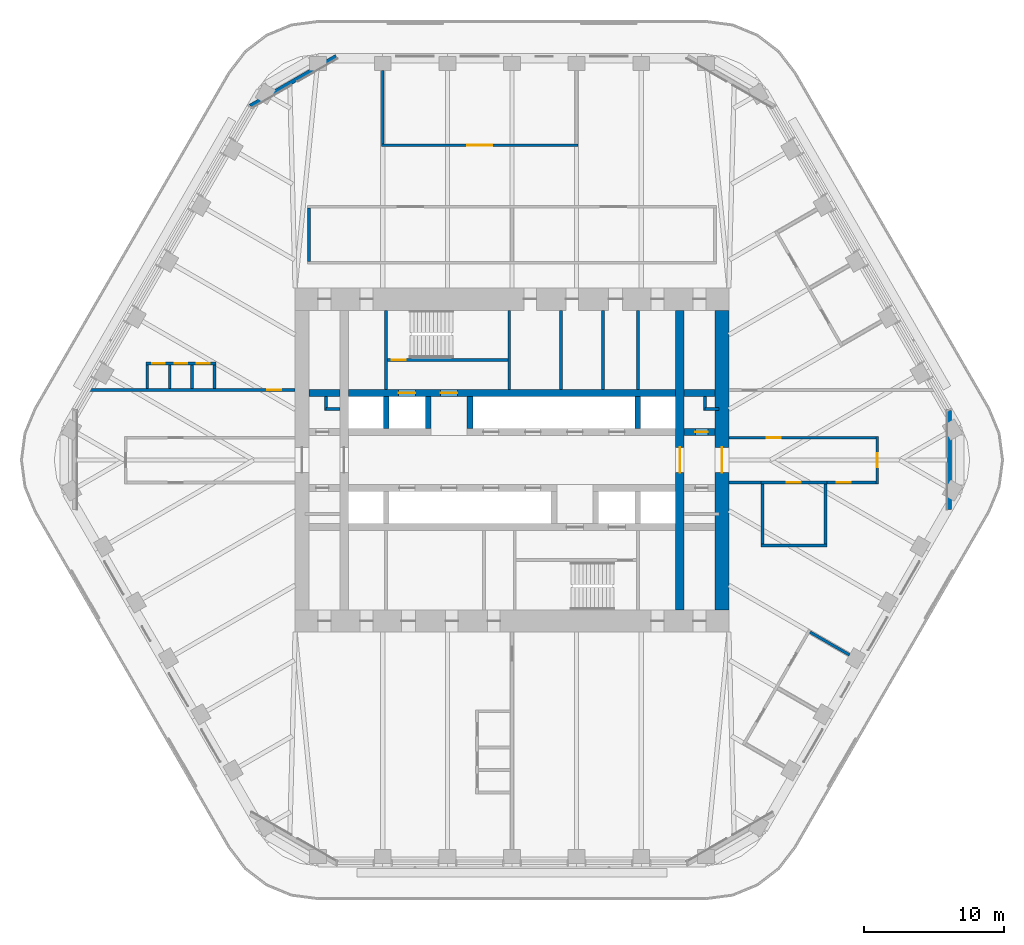
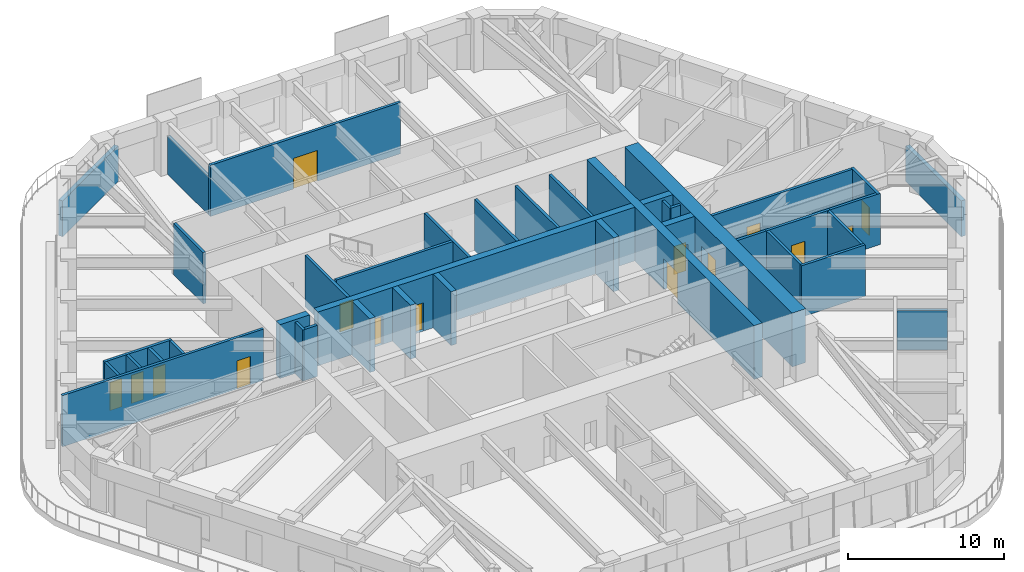
# One storey, part 16 of 20: 40 walls, 15 doors, 15 openings.
"""IFC4 building model written with IfcOpenShell, lengths in metres."""

from ifc_helpers import new_model, si_unit, direction, frame, frame_2d, origin, place, context, subcontext, project, spatial, rectangle, extrude, material, layer, layer_set, type_object, element, fill, save


model = new_model("IFC4")

# Units and contexts
model_context = context("Model", 3, precision=1e-05, world=origin(), true_north=direction((0.0, 1.0)))
body_context = subcontext(model_context, "Body", "Model", "MODEL_VIEW")
ifc_project = project(units=[si_unit("LENGTHUNIT", "METRE"), si_unit("AREAUNIT", "SQUARE_METRE"), si_unit("VOLUMEUNIT", "CUBIC_METRE"), si_unit("PLANEANGLEUNIT", "RADIAN"), si_unit("MASSUNIT", "GRAM", prefix="KILO")], contexts=[model_context])

# Site, building, storey
site_placement = place(None, origin())
site = spatial("IfcSite", under=ifc_project, at=site_placement, CompositionType="ELEMENT")
building_placement = place(site_placement, origin())
building = spatial("IfcBuilding", under=site, at=building_placement, Name="Tarfa Lantern Tower", CompositionType="ELEMENT")
storey_placement = place(building_placement, frame((0.0, 0.0, 274.300048828125)))
storey = spatial("IfcBuildingStorey", under=building, at=storey_placement, Name="L62", CompositionType="ELEMENT", Elevation=274.300048828125)

# Walls
ifc_material_1 = material(Name="Limestone cladding on blockwork", Category="masonry")
ifc_layer_1 = layer(ifc_material_1, 0.300048828125)
ifc_layer_set_1 = layer_set([ifc_layer_1], Name="EW1 STONE-CLAD WALL 300")
wall_type_1 = type_object("IfcWallType", Name="EW1 STONE-CLAD WALL 300", PredefinedType="SOLIDWALL", material=ifc_layer_set_1)
wall_1_placement = place(storey_placement, frame((-12.556396484375, 28.85009765625, 0.0), z_axis=(0.0, 0.0, 1.0), x_axis=(-0.866010973379, -0.500024993363, 0.0)))
element("IfcWall", 1, at=wall_1_placement, inside=storey, type_object=wall_type_1, Name="Garden wall N-NW", PredefinedType="SOLIDWALL", context=body_context, shape_type="SweptSolid", body=[
    extrude(rectangle(XDim=7.101806640625, YDim=0.300048828125, at=frame_2d((3.55078125, 0.0))), origin(), (0.0, 0.0, 1.0), 2.800048828125),
])
wall_2_placement = place(storey_placement, frame((31.262939453125, -3.55078125, 0.0), z_axis=(0.0, 0.0, 1.0), x_axis=(0.0, 1.0, 0.0)))
element("IfcWall", 2, at=wall_2_placement, inside=storey, type_object=wall_type_1, Name="Garden wall SE-NE", PredefinedType="SOLIDWALL", context=body_context, shape_type="SweptSolid", body=[
    extrude(rectangle(XDim=7.1015625, YDim=0.300048828125, at=frame_2d((3.55078125, 0.0))), origin(), (0.0, 0.0, 1.0), 2.800048828125),
])
ifc_material_2 = material(Name="Concrete blockwork", Category="masonry")
ifc_layer_2 = layer(ifc_material_2, 0.199951171875)
ifc_layer_set_2 = layer_set([ifc_layer_2], Name="IW1 BLOCKWORK PARTITION 200 EI 120")
wall_type_2 = type_object("IfcWallType", Name="IW1 BLOCKWORK PARTITION 200 EI 120", PredefinedType="PARTITIONING", material=ifc_layer_set_2)
for number, where, z_axis, x_axis, name in (
    (3, (-9.0, 5.050048828125, 0.0), (0.0, 0.0, 1.0), (0.0, 1.0, 0.0), "Core partition"),
    (4, (9.0, 5.050048828125, 0.0), (0.0, 0.0, 1.0), (0.0, 1.0, 0.0), "Core partition"),
    (5, (3.5, 5.050048828125, 0.0), (0.0, 0.0, 1.0), (0.0, 1.0, 0.0), "Core partition"),
    (6, (6.5, 5.050048828125, 0.0), (0.0, 0.0, 1.0), (0.0, 1.0, 0.0), "Core partition"),
):
    element("IfcWall", number, at=place(storey_placement, frame(where, z_axis=z_axis, x_axis=x_axis)), inside=storey, type_object=wall_type_2, Name=name, PredefinedType="PARTITIONING", context=body_context, shape_type="SweptSolid", body=[
        extrude(rectangle(XDim=5.64990234375, YDim=0.199951171875, at=frame_2d((2.824951171875, 0.0))), origin(), (0.0, 0.0, 1.0), 4.0),
    ])
for number, where, z_axis, x_axis, name in (
    (7, (-13.300048828125, 3.64990234375, 0.0), (0.0, 0.0, 1.0), (1.0, 0.0, 0.0), "Core partition"),
    (8, (-13.300048828125, 3.550048828125, 0.0), (0.0, 0.0, 1.0), (0.0, 1.0, 0.0), "Core partition"),
    (9, (13.800048828125, 3.64990234375, 0.0), (0.0, 0.0, 1.0), (1.0, 0.0, 0.0), "Core partition"),
    (10, (13.800048828125, 3.550048828125, 0.0), (0.0, 0.0, 1.0), (0.0, 1.0, 0.0), "Core partition"),
):
    element("IfcWall", number, at=place(storey_placement, frame(where, z_axis=z_axis, x_axis=x_axis)), inside=storey, type_object=wall_type_2, Name=name, PredefinedType="PARTITIONING", context=body_context, shape_type="SweptSolid", body=[
        extrude(rectangle(XDim=1.0, YDim=0.199951171875, at=frame_2d((0.5, 0.0))), origin(), (0.0, 0.0, 1.0), 4.0),
    ])
ifc_material_3 = material(Name="Gypsum board on steel studs", Category="steel")
ifc_layer_3 = layer(ifc_material_3, 0.2099609375)
ifc_layer_set_3 = layer_set([ifc_layer_3], Name="IW2 ACOUSTIC PARTITION 200")
wall_type_3 = type_object("IfcWallType", Name="IW2 ACOUSTIC PARTITION 200", PredefinedType="PARTITIONING", material=ifc_layer_set_3)
wall_3_placement = place(storey_placement, frame((-14.5, 14.199951171875, 0.0), z_axis=(0.0, 0.0, 1.0), x_axis=(0.0, 1.0, 0.0)))
element("IfcWall", 11, at=wall_3_placement, inside=storey, type_object=wall_type_3, Name="Partition", PredefinedType="PARTITIONING", context=body_context, shape_type="SweptSolid", body=[
    extrude(rectangle(XDim=3.800048828125, YDim=0.199951171875, at=frame_2d((1.89990234375, 0.0))), origin(), (0.0, 0.0, 1.0), 4.0),
])

# Wall, opening, door
wall_4_placement = place(storey_placement, frame((4.71875, 22.5, 0.0), z_axis=(0.0, 0.0, 1.0), x_axis=(-1.0, 0.0, 0.0)))
wall_4 = element("IfcWall", 12, at=wall_4_placement, inside=storey, type_object=wall_type_3, Name="Partition", PredefinedType="PARTITIONING", context=body_context, shape_type="SweptSolid", body=[
    extrude(rectangle(XDim=14.056396484375, YDim=0.199951171875, at=frame_2d((7.0283203125, 0.0))), origin(), (0.0, 0.0, 1.0), 4.0),
])
opening_1_placement = place(wall_4_placement, frame((6.128173828125, 0.0, 0.0)))
opening_1 = element("IfcOpeningElement", 13, at=opening_1_placement, cuts=wall_4, Name="Opening D28", PredefinedType="OPENING", context=body_context, shape_type="SweptSolid", body=[
    extrude(rectangle(XDim=1.800048828125, YDim=2.39990234375, at=frame_2d((0.89990234375, 1.199951171875))), frame((0.0, 0.10986328125, 0.0), z_axis=(0.0, -1.0, 0.0), x_axis=(1.0, 0.0, 0.0)), (0.0, 0.0, 1.0), 0.219970703125),
])
ifc_material_4 = material(Name="Timber door", Category="wood")
door_type_1 = type_object("IfcDoorType", Name="DR2 ROOM DOOR 1800x2400", OperationType="DOUBLE_DOOR_SINGLE_SWING", PredefinedType="DOOR", material=ifc_material_4)
door_1_placement = place(opening_1_placement, frame((1.800048828125, 0.0, 0.0), z_axis=(0.0, 0.0, 1.0), x_axis=(-1.0, 0.0, 0.0)))
door_1 = element("IfcDoor", 14, at=door_1_placement, inside=storey, type_object=door_type_1, Name="Presentation room door", OperationType="DOUBLE_DOOR_SINGLE_SWING", OverallHeight=2.39990234375, OverallWidth=1.800048828125, PredefinedType="DOOR", context=body_context, shape_type="SweptSolid", body=[
    extrude(rectangle(XDim=1.800048828125, YDim=2.39990234375, at=frame_2d((0.89990234375, 1.199951171875))), frame((0.0, 0.02490234375, 0.0), z_axis=(0.0, -1.0, 0.0), x_axis=(1.0, 0.0, 0.0)), (0.0, 0.0, 1.0), 0.050048828125),
])
fill(opening_1, door_1)

# Walls
wall_5_placement = place(storey_placement, frame((-9.237548828125, 22.60009765625, 0.0), z_axis=(0.0, 0.0, 1.0), x_axis=(0.0, 1.0, 0.0)))
element("IfcWall", 15, at=wall_5_placement, inside=storey, type_object=wall_type_3, Name="Partition", PredefinedType="PARTITIONING", context=body_context, shape_type="SweptSolid", body=[
    extrude(rectangle(XDim=5.25, YDim=0.199951171875, at=frame_2d((2.625, 0.0))), origin(), (0.0, 0.0, 1.0), 2.991943359375),
])
wall_6_placement = place(storey_placement, frame((21.30419921875, -12.300048828125, 0.0), z_axis=(0.0, 0.0, 1.0), x_axis=(0.866034226713, -0.499984717929, 0.0)))
element("IfcWall", 16, at=wall_6_placement, inside=storey, type_object=wall_type_3, Name="Partition", PredefinedType="PARTITIONING", context=body_context, shape_type="SweptSolid", body=[
    extrude(rectangle(XDim=3.25, YDim=0.199951171875, at=frame_2d((1.625, 0.0))), origin(), (0.0, 0.0, 1.0), 3.08154296875),
])

# Wall, opening, door
wall_7_placement = place(storey_placement, frame((17.800048828125, -1.60009765625, 0.0), z_axis=(0.0, 0.0, 1.0), x_axis=(1.0, 0.0, 0.0)))
wall_7 = element("IfcWall", 17, at=wall_7_placement, inside=storey, type_object=wall_type_3, Name="Partition", PredefinedType="PARTITIONING", context=body_context, shape_type="SweptSolid", body=[
    extrude(rectangle(XDim=4.699951171875, YDim=0.199951171875, at=frame_2d((2.35009765625, 0.0))), origin(), (0.0, 0.0, 1.0), 4.0),
])
opening_2_placement = place(wall_7_placement, frame((1.85009765625, 0.0, 0.0)))
opening_2 = element("IfcOpeningElement", 18, at=opening_2_placement, cuts=wall_7, Name="Opening D27", PredefinedType="OPENING", context=body_context, shape_type="SweptSolid", body=[
    extrude(rectangle(XDim=1.0, YDim=2.199951171875, at=frame_2d((0.5, 1.10009765625))), frame((0.0, 0.10986328125, 0.0), z_axis=(0.0, -1.0, 0.0), x_axis=(1.0, 0.0, 0.0)), (0.0, 0.0, 1.0), 0.219970703125),
])
door_type_2 = type_object("IfcDoorType", Name="DR1 ROOM DOOR 1000x2200", OperationType="SINGLE_SWING_LEFT", PredefinedType="DOOR", material=ifc_material_4)
door_2_placement = place(opening_2_placement, frame((1.0, 0.0, 0.0), z_axis=(0.0, 0.0, 1.0), x_axis=(-1.0, 0.0, 0.0)))
door_2 = element("IfcDoor", 19, at=door_2_placement, inside=storey, type_object=door_type_2, Name="Pantry door", OperationType="SINGLE_SWING_RIGHT", OverallHeight=2.199951171875, OverallWidth=1.0, PredefinedType="DOOR", context=body_context, shape_type="SweptSolid", body=[
    extrude(rectangle(XDim=1.0, YDim=2.199951171875, at=frame_2d((0.5, 1.10009765625))), frame((0.0, 0.02490234375, 0.0), z_axis=(0.0, -1.0, 0.0), x_axis=(1.0, 0.0, 0.0)), (0.0, 0.0, 1.0), 0.050048828125),
])
fill(opening_2, door_2)

# Walls
wall_8_placement = place(storey_placement, frame((17.800048828125, -6.10009765625, 0.0), z_axis=(0.0, 0.0, 1.0), x_axis=(1.0, 0.0, 0.0)))
element("IfcWall", 20, at=wall_8_placement, inside=storey, type_object=wall_type_3, Name="Partition", PredefinedType="PARTITIONING", context=body_context, shape_type="SweptSolid", body=[
    extrude(rectangle(XDim=4.699951171875, YDim=0.199951171875, at=frame_2d((2.35009765625, 0.0))), origin(), (0.0, 0.0, 1.0), 4.0),
])
for number, where, z_axis, x_axis, name in (
    (21, (17.89990234375, -1.699951171875, 0.0), (0.0, 0.0, 1.0), (0.0, -1.0, 0.0), "Partition"),
    (22, (22.39990234375, -1.699951171875, 0.0), (0.0, 0.0, 1.0), (0.0, -1.0, 0.0), "Partition"),
):
    element("IfcWall", number, at=place(storey_placement, frame(where, z_axis=z_axis, x_axis=x_axis)), inside=storey, type_object=wall_type_3, Name=name, PredefinedType="PARTITIONING", context=body_context, shape_type="SweptSolid", body=[
        extrude(rectangle(XDim=4.300048828125, YDim=0.199951171875, at=frame_2d((2.14990234375, 0.0))), origin(), (0.0, 0.0, 1.0), 4.0),
    ])

# Wall, opening, door
wall_9_placement = place(storey_placement, frame((15.5, 1.60009765625, 0.0), z_axis=(0.0, 0.0, 1.0), x_axis=(1.0, 0.0, 0.0)))
wall_9 = element("IfcWall", 23, at=wall_9_placement, inside=storey, type_object=wall_type_3, Name="Partition", PredefinedType="PARTITIONING", context=body_context, shape_type="SweptSolid", body=[
    extrude(rectangle(XDim=10.699951171875, YDim=0.199951171875, at=frame_2d((5.35009765625, 0.0))), origin(), (0.0, 0.0, 1.0), 4.0),
])
opening_3_placement = place(wall_9_placement, frame((2.7099609375, 0.0, 0.0)))
opening_3 = element("IfcOpeningElement", 24, at=opening_3_placement, cuts=wall_9, Name="Opening D42", PredefinedType="OPENING", context=body_context, shape_type="SweptSolid", body=[
    extrude(rectangle(XDim=1.0, YDim=2.199951171875, at=frame_2d((0.5, 1.10009765625))), frame((0.0, 0.10986328125, 0.0), z_axis=(0.0, -1.0, 0.0), x_axis=(1.0, 0.0, 0.0)), (0.0, 0.0, 1.0), 0.219970703125),
])
door_3_placement = place(opening_3_placement, origin())
door_3 = element("IfcDoor", 25, at=door_3_placement, inside=storey, type_object=door_type_2, Name="Corridor door", OperationType="SINGLE_SWING_RIGHT", OverallHeight=2.199951171875, OverallWidth=1.0, PredefinedType="DOOR", context=body_context, shape_type="SweptSolid", body=[
    extrude(rectangle(XDim=1.0, YDim=2.199951171875, at=frame_2d((0.5, 1.10009765625))), frame((0.0, 0.02490234375, 0.0), z_axis=(0.0, -1.0, 0.0), x_axis=(1.0, 0.0, 0.0)), (0.0, 0.0, 1.0), 0.050048828125),
])
fill(opening_3, door_3)

# Wall
wall_10_placement = place(storey_placement, frame((15.5, -1.60009765625, 0.0), z_axis=(0.0, 0.0, 1.0), x_axis=(1.0, 0.0, 0.0)))
element("IfcWall", 26, at=wall_10_placement, inside=storey, type_object=wall_type_3, Name="Partition", PredefinedType="PARTITIONING", context=body_context, shape_type="SweptSolid", body=[
    extrude(rectangle(XDim=2.300048828125, YDim=0.199951171875, at=frame_2d((1.14990234375, 0.0))), origin(), (0.0, 0.0, 1.0), 4.0),
])

# Wall, opening, door
wall_11_placement = place(storey_placement, frame((22.5, -1.60009765625, 0.0), z_axis=(0.0, 0.0, 1.0), x_axis=(1.0, 0.0, 0.0)))
wall_11 = element("IfcWall", 27, at=wall_11_placement, inside=storey, type_object=wall_type_3, Name="Partition", PredefinedType="PARTITIONING", context=body_context, shape_type="SweptSolid", body=[
    extrude(rectangle(XDim=3.699951171875, YDim=0.199951171875, at=frame_2d((1.85009765625, 0.0))), origin(), (0.0, 0.0, 1.0), 4.0),
])
opening_4_placement = place(wall_11_placement, frame((0.699951171875, 0.0, 0.0)))
opening_4 = element("IfcOpeningElement", 28, at=opening_4_placement, cuts=wall_11, Name="Opening D43", PredefinedType="OPENING", context=body_context, shape_type="SweptSolid", body=[
    extrude(rectangle(XDim=1.0, YDim=2.199951171875, at=frame_2d((0.5, 1.10009765625))), frame((0.0, 0.10986328125, 0.0), z_axis=(0.0, -1.0, 0.0), x_axis=(1.0, 0.0, 0.0)), (0.0, 0.0, 1.0), 0.219970703125),
])
door_4_placement = place(opening_4_placement, frame((1.0, 0.0, 0.0), z_axis=(0.0, 0.0, 1.0), x_axis=(-1.0, 0.0, 0.0)))
door_4 = element("IfcDoor", 29, at=door_4_placement, inside=storey, type_object=door_type_2, Name="Corridor door", OperationType="SINGLE_SWING_LEFT", OverallHeight=2.199951171875, OverallWidth=1.0, PredefinedType="DOOR", context=body_context, shape_type="SweptSolid", body=[
    extrude(rectangle(XDim=1.0, YDim=2.199951171875, at=frame_2d((0.5, 1.10009765625))), frame((0.0, 0.02490234375, 0.0), z_axis=(0.0, -1.0, 0.0), x_axis=(1.0, 0.0, 0.0)), (0.0, 0.0, 1.0), 0.050048828125),
])
fill(opening_4, door_4)

wall_12_placement = place(storey_placement, frame((26.10009765625, -1.699951171875, 0.0), z_axis=(0.0, 0.0, 1.0), x_axis=(0.0, 1.0, 0.0)))
wall_12 = element("IfcWall", 30, at=wall_12_placement, inside=storey, type_object=wall_type_3, Name="Partition", PredefinedType="PARTITIONING", context=body_context, shape_type="SweptSolid", body=[
    extrude(rectangle(XDim=3.39990234375, YDim=0.199951171875, at=frame_2d((1.699951171875, 0.0))), origin(), (0.0, 0.0, 1.0), 4.0),
])
opening_5_placement = place(wall_12_placement, frame((1.199951171875, 0.0, 0.0)))
opening_5 = element("IfcOpeningElement", 31, at=opening_5_placement, cuts=wall_12, Name="Opening D41", PredefinedType="OPENING", context=body_context, shape_type="SweptSolid", body=[
    extrude(rectangle(XDim=1.0, YDim=2.199951171875, at=frame_2d((0.5, 1.10009765625))), frame((0.0, 0.10986328125, 0.0), z_axis=(0.0, -1.0, 0.0), x_axis=(1.0, 0.0, 0.0)), (0.0, 0.0, 1.0), 0.219970703125),
])
door_5_placement = place(opening_5_placement, frame((1.0, 0.0, 0.0), z_axis=(0.0, 0.0, 1.0), x_axis=(-1.0, 0.0, 0.0)))
door_5 = element("IfcDoor", 32, at=door_5_placement, inside=storey, type_object=door_type_2, Name="Corridor door", OperationType="SINGLE_SWING_LEFT", OverallHeight=2.199951171875, OverallWidth=1.0, PredefinedType="DOOR", context=body_context, shape_type="SweptSolid", body=[
    extrude(rectangle(XDim=1.0, YDim=2.199951171875, at=frame_2d((0.5, 1.10009765625))), frame((0.0, 0.02490234375, 0.0), z_axis=(0.0, -1.0, 0.0), x_axis=(1.0, 0.0, 0.0)), (0.0, 0.0, 1.0), 0.050048828125),
])
fill(opening_5, door_5)

wall_13_placement = place(storey_placement, frame((-15.5, 5.0, 0.0), z_axis=(0.0, 0.0, 1.0), x_axis=(-1.0, 0.0, 0.0)))
wall_13 = element("IfcWall", 33, at=wall_13_placement, inside=storey, type_object=wall_type_3, Name="Partition", PredefinedType="PARTITIONING", context=body_context, shape_type="SweptSolid", body=[
    extrude(rectangle(XDim=14.845458984375, YDim=0.199951171875, at=frame_2d((7.4228515625, 0.0))), origin(), (0.0, 0.0, 1.0), 4.0),
])
opening_6_placement = place(wall_13_placement, frame((0.984619140625, 0.0, 0.0)))
opening_6 = element("IfcOpeningElement", 34, at=opening_6_placement, cuts=wall_13, Name="Opening D49", PredefinedType="OPENING", context=body_context, shape_type="SweptSolid", body=[
    extrude(rectangle(XDim=1.0, YDim=2.199951171875, at=frame_2d((0.5, 1.10009765625))), frame((0.0, 0.10986328125, 0.0), z_axis=(0.0, -1.0, 0.0), x_axis=(1.0, 0.0, 0.0)), (0.0, 0.0, 1.0), 0.219970703125),
])
door_6_placement = place(opening_6_placement, origin())
door_6 = element("IfcDoor", 35, at=door_6_placement, inside=storey, type_object=door_type_2, Name="Zone door", OperationType="SINGLE_SWING_RIGHT", OverallHeight=2.199951171875, OverallWidth=1.0, PredefinedType="DOOR", context=body_context, shape_type="SweptSolid", body=[
    extrude(rectangle(XDim=1.0, YDim=2.199951171875, at=frame_2d((0.5, 1.10009765625))), frame((0.0, 0.02490234375, 0.0), z_axis=(0.0, -1.0, 0.0), x_axis=(1.0, 0.0, 0.0)), (0.0, 0.0, 1.0), 0.050048828125),
])
fill(opening_6, door_6)

# Wall, openings, doors
wall_14_placement = place(storey_placement, frame((-21.1650390625, 6.89990234375, 0.0), z_axis=(0.0, 0.0, 1.0), x_axis=(-1.0, 0.0, 0.0)))
wall_14 = element("IfcWall", 36, at=wall_14_placement, inside=storey, type_object=wall_type_3, Name="Partition", PredefinedType="PARTITIONING", context=body_context, shape_type="SweptSolid", body=[
    extrude(rectangle(XDim=5.0, YDim=0.199951171875, at=frame_2d((2.5, 0.0))), origin(), (0.0, 0.0, 1.0), 4.0),
])
opening_7_placement = place(wall_14_placement, frame((0.449951171875, 0.0, 0.0)))
opening_7 = element("IfcOpeningElement", 37, at=opening_7_placement, cuts=wall_14, Name="Opening D38", PredefinedType="OPENING", context=body_context, shape_type="SweptSolid", body=[
    extrude(rectangle(XDim=0.89990234375, YDim=2.199951171875, at=frame_2d((0.449951171875, 1.10009765625))), frame((0.0, 0.10986328125, 0.0), z_axis=(0.0, -1.0, 0.0), x_axis=(1.0, 0.0, 0.0)), (0.0, 0.0, 1.0), 0.219970703125),
])
opening_8_placement = place(wall_14_placement, frame((2.050048828125, 0.0, 0.0)))
opening_8 = element("IfcOpeningElement", 38, at=opening_8_placement, cuts=wall_14, Name="Opening D39", PredefinedType="OPENING", context=body_context, shape_type="SweptSolid", body=[
    extrude(rectangle(XDim=0.89990234375, YDim=2.199951171875, at=frame_2d((0.449951171875, 1.10009765625))), frame((0.0, 0.10986328125, 0.0), z_axis=(0.0, -1.0, 0.0), x_axis=(1.0, 0.0, 0.0)), (0.0, 0.0, 1.0), 0.219970703125),
])
opening_9_placement = place(wall_14_placement, frame((3.64990234375, 0.0, 0.0)))
opening_9 = element("IfcOpeningElement", 39, at=opening_9_placement, cuts=wall_14, Name="Opening D40", PredefinedType="OPENING", context=body_context, shape_type="SweptSolid", body=[
    extrude(rectangle(XDim=0.89990234375, YDim=2.199951171875, at=frame_2d((0.449951171875, 1.10009765625))), frame((0.0, 0.10986328125, 0.0), z_axis=(0.0, -1.0, 0.0), x_axis=(1.0, 0.0, 0.0)), (0.0, 0.0, 1.0), 0.219970703125),
])
door_type_3 = type_object("IfcDoorType", Name="DR3 ROOM DOOR 900x2200", OperationType="SINGLE_SWING_LEFT", PredefinedType="DOOR", material=ifc_material_4)
door_7_placement = place(opening_7_placement, origin())
door_7 = element("IfcDoor", 40, at=door_7_placement, inside=storey, type_object=door_type_3, Name="Phone booth door", OperationType="SINGLE_SWING_RIGHT", OverallHeight=2.199951171875, OverallWidth=0.89990234375, PredefinedType="DOOR", context=body_context, shape_type="SweptSolid", body=[
    extrude(rectangle(XDim=0.89990234375, YDim=2.199951171875, at=frame_2d((0.449951171875, 1.10009765625))), frame((0.0, 0.02490234375, 0.0), z_axis=(0.0, -1.0, 0.0), x_axis=(1.0, 0.0, 0.0)), (0.0, 0.0, 1.0), 0.050048828125),
])
fill(opening_7, door_7)
door_8_placement = place(opening_8_placement, origin())
door_8 = element("IfcDoor", 41, at=door_8_placement, inside=storey, type_object=door_type_3, Name="Phone booth door", OperationType="SINGLE_SWING_RIGHT", OverallHeight=2.199951171875, OverallWidth=0.89990234375, PredefinedType="DOOR", context=body_context, shape_type="SweptSolid", body=[
    extrude(rectangle(XDim=0.89990234375, YDim=2.199951171875, at=frame_2d((0.449951171875, 1.10009765625))), frame((0.0, 0.02490234375, 0.0), z_axis=(0.0, -1.0, 0.0), x_axis=(1.0, 0.0, 0.0)), (0.0, 0.0, 1.0), 0.050048828125),
])
fill(opening_8, door_8)
door_9_placement = place(opening_9_placement, origin())
door_9 = element("IfcDoor", 42, at=door_9_placement, inside=storey, type_object=door_type_3, Name="Phone booth door", OperationType="SINGLE_SWING_LEFT", OverallHeight=2.199951171875, OverallWidth=0.89990234375, PredefinedType="DOOR", context=body_context, shape_type="SweptSolid", body=[
    extrude(rectangle(XDim=0.89990234375, YDim=2.199951171875, at=frame_2d((0.449951171875, 1.10009765625))), frame((0.0, 0.02490234375, 0.0), z_axis=(0.0, -1.0, 0.0), x_axis=(1.0, 0.0, 0.0)), (0.0, 0.0, 1.0), 0.050048828125),
])
fill(opening_9, door_9)

# Walls
for number, where, z_axis, x_axis, name in (
    (43, (-21.264892578125, 5.10009765625, 0.0), (0.0, 0.0, 1.0), (0.0, 1.0, 0.0), "Partition"),
    (44, (-22.864990234375, 5.10009765625, 0.0), (0.0, 0.0, 1.0), (0.0, 1.0, 0.0), "Partition"),
    (45, (-24.465087890625, 5.10009765625, 0.0), (0.0, 0.0, 1.0), (0.0, 1.0, 0.0), "Partition"),
    (46, (-26.06494140625, 5.10009765625, 0.0), (0.0, 0.0, 1.0), (0.0, 1.0, 0.0), "Partition"),
):
    element("IfcWall", number, at=place(storey_placement, frame(where, z_axis=z_axis, x_axis=x_axis)), inside=storey, type_object=wall_type_3, Name=name, PredefinedType="PARTITIONING", context=body_context, shape_type="SweptSolid", body=[
        extrude(rectangle(XDim=1.699951171875, YDim=0.199951171875, at=frame_2d((0.85009765625, 0.0))), origin(), (0.0, 0.0, 1.0), 4.0),
    ])
ifc_material_5 = material(Name="Concrete C80/95", Category="concrete")
ifc_layer_4 = layer(ifc_material_5, 0.199951171875)
ifc_layer_set_4 = layer_set([ifc_layer_4], Name="SW12 CORE WALL 200")
wall_type_4 = type_object("IfcWallType", Name="SW12 CORE WALL 200", PredefinedType="SHEAR", material=ifc_layer_set_4)
wall_15_placement = place(storey_placement, frame((-0.199951171875, 5.050048828125, 0.0), z_axis=(0.0, 0.0, 1.0), x_axis=(0.0, 1.0, 0.0)))
element("IfcWall", 47, at=wall_15_placement, inside=storey, type_object=wall_type_4, Name="Core wall stair shaft N", PredefinedType="SHEAR", context=body_context, shape_type="SweptSolid", body=[
    extrude(rectangle(XDim=5.64990234375, YDim=0.199951171875, at=frame_2d((2.824951171875, 0.0))), origin(), (0.0, 0.0, 1.0), 4.199951171875),
])

# Wall, opening, door
wall_16_placement = place(storey_placement, frame((-8.89990234375, 7.14990234375, 0.0), z_axis=(0.0, 0.0, 1.0), x_axis=(1.0, 0.0, 0.0)))
wall_16 = element("IfcWall", 48, at=wall_16_placement, inside=storey, type_object=wall_type_4, Name="Core wall stair partition N", PredefinedType="SHEAR", context=body_context, shape_type="SweptSolid", body=[
    extrude(rectangle(XDim=8.599853515625, YDim=0.199951171875, at=frame_2d((4.2998046875, 0.0))), origin(), (0.0, 0.0, 1.0), 4.199951171875),
])
opening_10_placement = place(wall_16_placement, frame((0.300048828125, 0.0, 0.0)))
opening_10 = element("IfcOpeningElement", 49, at=opening_10_placement, cuts=wall_16, Name="Opening D23", PredefinedType="OPENING", context=body_context, shape_type="SweptSolid", body=[
    extrude(rectangle(XDim=1.0, YDim=2.199951171875, at=frame_2d((0.5, 1.10009765625))), frame((0.0, 0.10986328125, 0.0), z_axis=(0.0, -1.0, 0.0), x_axis=(1.0, 0.0, 0.0)), (0.0, 0.0, 1.0), 0.219970703125),
])
ifc_material_6 = material(Name="Steel fire door", Category="steel")
door_type_4 = type_object("IfcDoorType", Name="DF2 STAIR DOOR 1000x2200", OperationType="SINGLE_SWING_LEFT", PredefinedType="DOOR", material=ifc_material_6)
door_10_placement = place(opening_10_placement, origin())
door_10 = element("IfcDoor", 50, at=door_10_placement, inside=storey, type_object=door_type_4, Name="Stair door", OperationType="SINGLE_SWING_RIGHT", OverallHeight=2.199951171875, OverallWidth=1.0, PredefinedType="DOOR", context=body_context, shape_type="SweptSolid", body=[
    extrude(rectangle(XDim=1.0, YDim=2.199951171875, at=frame_2d((0.5, 1.10009765625))), frame((0.0, 0.02490234375, 0.0), z_axis=(0.0, -1.0, 0.0), x_axis=(1.0, 0.0, 0.0)), (0.0, 0.0, 1.0), 0.050048828125),
])
fill(opening_10, door_10)

ifc_layer_5 = layer(ifc_material_5, 1.0)
ifc_layer_set_5 = layer_set([ifc_layer_5], Name="SW2 CORE WALL 1000")
wall_type_5 = type_object("IfcWallType", Name="SW2 CORE WALL 1000", PredefinedType="SHEAR", material=ifc_layer_set_5)
wall_17_placement = place(storey_placement, frame((15.0, -10.699951171875, 0.0), z_axis=(0.0, 0.0, 1.0), x_axis=(0.0, 1.0, 0.0)))
wall_17 = element("IfcWall", 51, at=wall_17_placement, inside=storey, type_object=wall_type_5, Name="Core wall E", PredefinedType="SHEAR", context=body_context, shape_type="SweptSolid", body=[
    extrude(rectangle(XDim=21.39990234375, YDim=1.0, at=frame_2d((10.699951171875, 0.0))), origin(), (0.0, 0.0, 1.0), 4.199951171875),
])
opening_11_placement = place(wall_17_placement, frame((9.800048828125, 0.0, 0.0)))
opening_11 = element("IfcOpeningElement", 52, at=opening_11_placement, cuts=wall_17, Name="Opening D11", PredefinedType="OPENING", context=body_context, shape_type="SweptSolid", body=[
    extrude(rectangle(XDim=1.800048828125, YDim=2.39990234375, at=frame_2d((0.89990234375, 1.199951171875))), frame((0.0, 0.510009765625, 0.0), z_axis=(0.0, -1.0, 0.0), x_axis=(1.0, 0.0, 0.0)), (0.0, 0.0, 1.0), 1.02001953125),
])
door_type_5 = type_object("IfcDoorType", Name="DL1 LOBBY DOOR 1800x2400", OperationType="DOUBLE_DOOR_SINGLE_SWING", PredefinedType="DOOR", material=ifc_material_6)
door_11_placement = place(opening_11_placement, frame((1.800048828125, 0.0, 0.0), z_axis=(0.0, 0.0, 1.0), x_axis=(-1.0, 0.0, 0.0)))
door_11 = element("IfcDoor", 53, at=door_11_placement, inside=storey, type_object=door_type_5, Name="Lift lobby door", OperationType="DOUBLE_DOOR_SINGLE_SWING", OverallHeight=2.39990234375, OverallWidth=1.800048828125, PredefinedType="DOOR", context=body_context, shape_type="SweptSolid", body=[
    extrude(rectangle(XDim=1.800048828125, YDim=2.39990234375, at=frame_2d((0.89990234375, 1.199951171875))), frame((0.0, 0.02490234375, 0.0), z_axis=(0.0, -1.0, 0.0), x_axis=(1.0, 0.0, 0.0)), (0.0, 0.0, 1.0), 0.050048828125),
])
fill(opening_11, door_11)

ifc_layer_6 = layer(ifc_material_5, 0.5)
ifc_layer_set_6 = layer_set([ifc_layer_6], Name="SW5 CORE WALL 500")
wall_type_6 = type_object("IfcWallType", Name="SW5 CORE WALL 500", PredefinedType="SHEAR", material=ifc_layer_set_6)
wall_18_placement = place(storey_placement, frame((12.300048828125, 2.0, 0.0), z_axis=(0.0, 0.0, 1.0), x_axis=(1.0, 0.0, 0.0)))
wall_18 = element("IfcWall", 54, at=wall_18_placement, inside=storey, type_object=wall_type_6, Name="Core wall lobby east N", PredefinedType="SHEAR", context=body_context, shape_type="SweptSolid", body=[
    extrude(rectangle(XDim=2.199951171875, YDim=0.5, at=frame_2d((1.10009765625, 0.0))), origin(), (0.0, 0.0, 1.0), 4.199951171875),
])
opening_12_placement = place(wall_18_placement, frame((0.800048828125, 0.0, 0.0)))
opening_12 = element("IfcOpeningElement", 55, at=opening_12_placement, cuts=wall_18, Name="Opening D13", PredefinedType="OPENING", context=body_context, shape_type="SweptSolid", body=[
    extrude(rectangle(XDim=0.89990234375, YDim=2.199951171875, at=frame_2d((0.449951171875, 1.10009765625))), frame((0.0, 0.260009765625, 0.0), z_axis=(0.0, -1.0, 0.0), x_axis=(1.0, 0.0, 0.0)), (0.0, 0.0, 1.0), 0.52001953125),
])
door_type_6 = type_object("IfcDoorType", Name="DF6 SERVICE ROOM DOOR 900x2200", OperationType="SINGLE_SWING_LEFT", PredefinedType="DOOR", material=ifc_material_6)
door_12_placement = place(opening_12_placement, origin())
door_12 = element("IfcDoor", 56, at=door_12_placement, inside=storey, type_object=door_type_6, Name="Service room door", OperationType="SINGLE_SWING_LEFT", OverallHeight=2.199951171875, OverallWidth=0.89990234375, PredefinedType="DOOR", context=body_context, shape_type="SweptSolid", body=[
    extrude(rectangle(XDim=0.89990234375, YDim=2.199951171875, at=frame_2d((0.449951171875, 1.10009765625))), frame((0.0, 0.02490234375, 0.0), z_axis=(0.0, -1.0, 0.0), x_axis=(1.0, 0.0, 0.0)), (0.0, 0.0, 1.0), 0.050048828125),
])
fill(opening_12, door_12)

# Wall
wall_19_placement = place(storey_placement, frame((-14.5, 4.800048828125, 0.0), z_axis=(0.0, 0.0, 1.0), x_axis=(1.0, 0.0, 0.0)))
element("IfcWall", 57, at=wall_19_placement, inside=storey, type_object=wall_type_6, Name="Core wall rear N", PredefinedType="SHEAR", context=body_context, shape_type="SweptSolid", body=[
    extrude(rectangle(XDim=2.199951171875, YDim=0.5, at=frame_2d((1.10009765625, 0.0))), origin(), (0.0, 0.0, 1.0), 4.199951171875),
])

# Wall, openings, doors
wall_20_placement = place(storey_placement, frame((-11.699951171875, 4.800048828125, 0.0), z_axis=(0.0, 0.0, 1.0), x_axis=(1.0, 0.0, 0.0)))
wall_20 = element("IfcWall", 58, at=wall_20_placement, inside=storey, type_object=wall_type_6, Name="Core wall rear N", PredefinedType="SHEAR", context=body_context, shape_type="SweptSolid", body=[
    extrude(rectangle(XDim=23.39990234375, YDim=0.5, at=frame_2d((11.699951171875, 0.0))), origin(), (0.0, 0.0, 1.0), 4.199951171875),
])
opening_13_placement = place(wall_20_placement, frame((6.60009765625, 0.0, 0.0)))
opening_13 = element("IfcOpeningElement", 59, at=opening_13_placement, cuts=wall_20, Name="Opening D09", PredefinedType="OPENING", context=body_context, shape_type="SweptSolid", body=[
    extrude(rectangle(XDim=1.199951171875, YDim=2.199951171875, at=frame_2d((0.60009765625, 1.10009765625))), frame((0.0, 0.260009765625, 0.0), z_axis=(0.0, -1.0, 0.0), x_axis=(1.0, 0.0, 0.0)), (0.0, 0.0, 1.0), 0.52001953125),
])
opening_14_placement = place(wall_20_placement, frame((3.60009765625, 0.0, 0.0)))
opening_14 = element("IfcOpeningElement", 60, at=opening_14_placement, cuts=wall_20, Name="Opening LD01", PredefinedType="OPENING", context=body_context, shape_type="SweptSolid", body=[
    extrude(rectangle(XDim=1.199951171875, YDim=2.199951171875, at=frame_2d((0.60009765625, 1.10009765625))), frame((0.0, 0.260009765625, 0.0), z_axis=(0.0, -1.0, 0.0), x_axis=(1.0, 0.0, 0.0)), (0.0, 0.0, 1.0), 0.52001953125),
])
door_type_7 = type_object("IfcDoorType", Name="DF1 FIREFIGHTING LOBBY DOOR 1200x2200", OperationType="SINGLE_SWING_LEFT", PredefinedType="DOOR", material=ifc_material_6)
door_13_placement = place(opening_13_placement, origin())
door_13 = element("IfcDoor", 61, at=door_13_placement, inside=storey, type_object=door_type_7, Name="Firefighting lobby door", OperationType="SINGLE_SWING_LEFT", OverallHeight=2.199951171875, OverallWidth=1.199951171875, PredefinedType="DOOR", context=body_context, shape_type="SweptSolid", body=[
    extrude(rectangle(XDim=1.199951171875, YDim=2.199951171875, at=frame_2d((0.60009765625, 1.10009765625))), frame((0.0, 0.02490234375, 0.0), z_axis=(0.0, -1.0, 0.0), x_axis=(1.0, 0.0, 0.0)), (0.0, 0.0, 1.0), 0.050048828125),
])
fill(opening_13, door_13)
ifc_material_7 = material(Name="Stainless steel lift door", Category="steel")
door_type_8 = type_object("IfcDoorType", Name="LD1 LIFT LANDING DOOR 1200x2200", OperationType="SLIDING_TO_LEFT", PredefinedType="DOOR", material=ifc_material_7)
door_14_placement = place(opening_14_placement, origin())
door_14 = element("IfcDoor", 62, at=door_14_placement, inside=storey, type_object=door_type_8, Name="Landing door FL1", OperationType="SLIDING_TO_LEFT", OverallHeight=2.199951171875, OverallWidth=1.199951171875, PredefinedType="DOOR", context=body_context, shape_type="SweptSolid", body=[
    extrude(rectangle(XDim=1.199951171875, YDim=2.199951171875, at=frame_2d((0.60009765625, 1.10009765625))), frame((0.0, 0.02490234375, 0.0), z_axis=(0.0, -1.0, 0.0), x_axis=(1.0, 0.0, 0.0)), (0.0, 0.0, 1.0), 0.050048828125),
])
fill(opening_14, door_14)

# Walls
wall_21_placement = place(storey_placement, frame((12.300048828125, 4.800048828125, 0.0), z_axis=(0.0, 0.0, 1.0), x_axis=(1.0, 0.0, 0.0)))
element("IfcWall", 63, at=wall_21_placement, inside=storey, type_object=wall_type_6, Name="Core wall rear N", PredefinedType="SHEAR", context=body_context, shape_type="SweptSolid", body=[
    extrude(rectangle(XDim=2.199951171875, YDim=0.5, at=frame_2d((1.10009765625, 0.0))), origin(), (0.0, 0.0, 1.0), 4.199951171875),
])
ifc_layer_7 = layer(ifc_material_5, 0.39990234375)
ifc_layer_set_7 = layer_set([ifc_layer_7], Name="SW6 CORE WALL 400")
wall_type_7 = type_object("IfcWallType", Name="SW6 CORE WALL 400", PredefinedType="SHEAR", material=ifc_layer_set_7)
for number, where, z_axis, x_axis, name in (
    (64, (-9.0, 2.25, 0.0), (0.0, 0.0, 1.0), (0.0, 1.0, 0.0), "Core wall divider N"),
    (65, (-6.0, 2.25, 0.0), (0.0, 0.0, 1.0), (0.0, 1.0, 0.0), "Core wall divider N"),
    (66, (-3.0, 2.25, 0.0), (0.0, 0.0, 1.0), (0.0, 1.0, 0.0), "Core wall divider N"),
    (67, (9.0, 2.25, 0.0), (0.0, 0.0, 1.0), (0.0, 1.0, 0.0), "Core wall divider N"),
):
    element("IfcWall", number, at=place(storey_placement, frame(where, z_axis=z_axis, x_axis=x_axis)), inside=storey, type_object=wall_type_7, Name=name, PredefinedType="SHEAR", context=body_context, shape_type="SweptSolid", body=[
        extrude(rectangle(XDim=2.300048828125, YDim=0.39990234375, at=frame_2d((1.14990234375, 0.0))), origin(), (0.0, 0.0, 1.0), 4.199951171875),
    ])

# Wall, opening, door
ifc_layer_8 = layer(ifc_material_5, 0.60009765625)
ifc_layer_set_8 = layer_set([ifc_layer_8], Name="SW9 CORE WALL 600")
wall_type_8 = type_object("IfcWallType", Name="SW9 CORE WALL 600", PredefinedType="SHEAR", material=ifc_layer_set_8)
wall_22_placement = place(storey_placement, frame((12.0, -10.699951171875, 0.0), z_axis=(0.0, 0.0, 1.0), x_axis=(0.0, 1.0, 0.0)))
wall_22 = element("IfcWall", 68, at=wall_22_placement, inside=storey, type_object=wall_type_8, Name="Core wall cross 12 m east", PredefinedType="SHEAR", context=body_context, shape_type="SweptSolid", body=[
    extrude(rectangle(XDim=21.39990234375, YDim=0.60009765625, at=frame_2d((10.699951171875, 0.0))), origin(), (0.0, 0.0, 1.0), 4.199951171875),
])
opening_15_placement = place(wall_22_placement, frame((9.800048828125, 0.0, 0.0)))
opening_15 = element("IfcOpeningElement", 69, at=opening_15_placement, cuts=wall_22, Name="Opening D25", PredefinedType="OPENING", context=body_context, shape_type="SweptSolid", body=[
    extrude(rectangle(XDim=1.800048828125, YDim=2.39990234375, at=frame_2d((0.89990234375, 1.199951171875))), frame((0.0, 0.31005859375, 0.0), z_axis=(0.0, -1.0, 0.0), x_axis=(1.0, 0.0, 0.0)), (0.0, 0.0, 1.0), 0.6201171875),
])
door_15_placement = place(opening_15_placement, origin())
door_15 = element("IfcDoor", 70, at=door_15_placement, inside=storey, type_object=door_type_5, Name="Lift lobby door", OperationType="DOUBLE_DOOR_SINGLE_SWING", OverallHeight=2.39990234375, OverallWidth=1.800048828125, PredefinedType="DOOR", context=body_context, shape_type="SweptSolid", body=[
    extrude(rectangle(XDim=1.800048828125, YDim=2.39990234375, at=frame_2d((0.89990234375, 1.199951171875))), frame((0.0, 0.02490234375, 0.0), z_axis=(0.0, -1.0, 0.0), x_axis=(1.0, 0.0, 0.0)), (0.0, 0.0, 1.0), 0.050048828125),
])
fill(opening_15, door_15)

save(model, "model.ifc")
